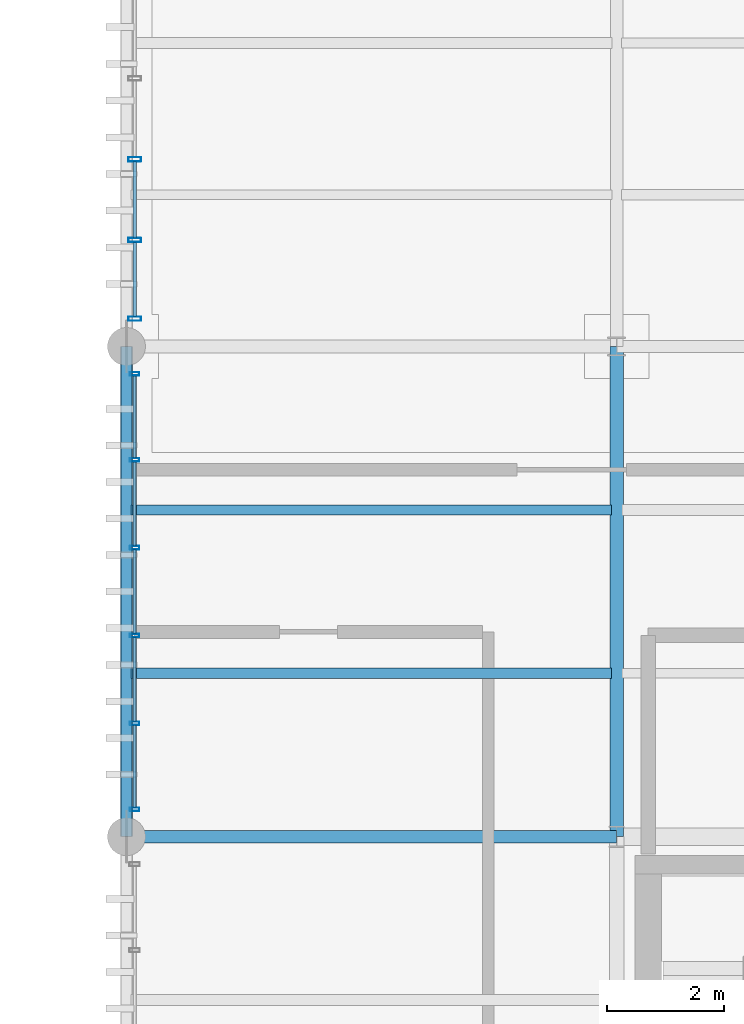
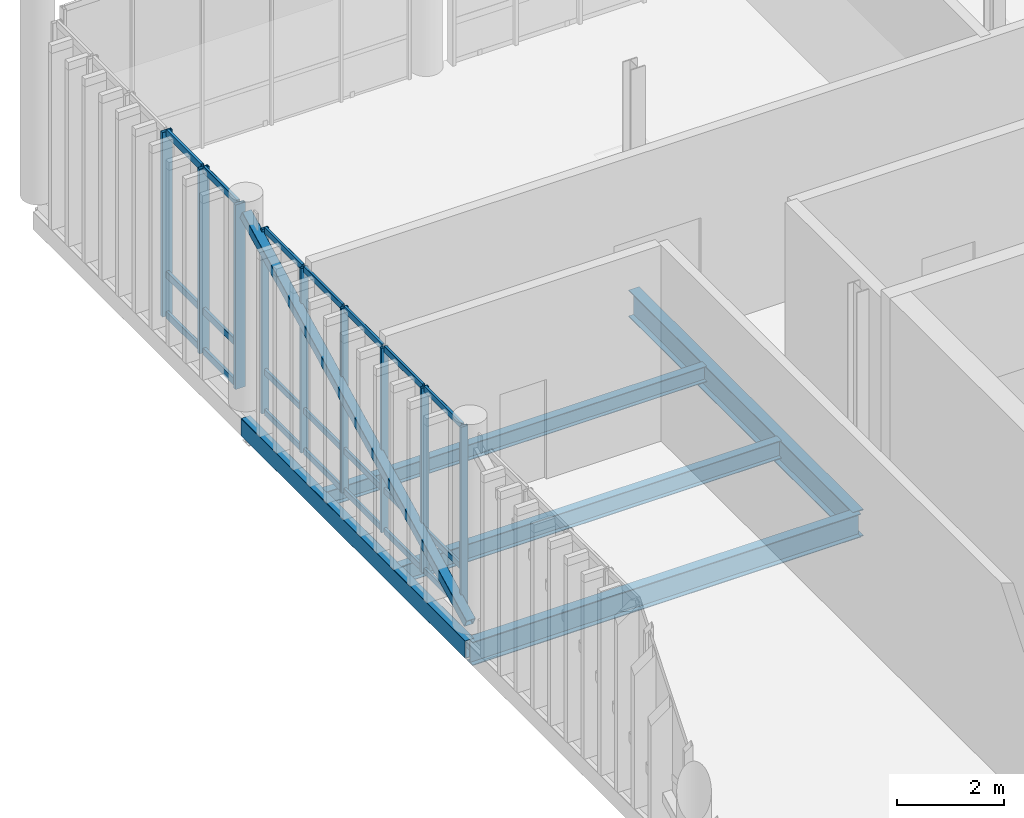
# One storey, part 52 of 86: 31 members, 5 beams, 2 elements without a shape of their own.
"""IFC4 building model written with IfcOpenShell, lengths in metres."""

from ifc_helpers import new_model, si_unit, direction, frame, origin_with_axes, origin_2d_with_axis, place, context, subcontext, project, spatial, hollow_rectangle, i_section, extrude, material, material_profile, profile_set, type_object, element, aggregate, save


model = new_model("IFC4")

# Units and contexts
model_context = context("Model", 3, precision=1e-05, world=origin_with_axes(), true_north=direction((0.0, 1.0)))
body_context = subcontext(model_context, "Body", "Model", "MODEL_VIEW")
ifc_project = project(units=[si_unit("LENGTHUNIT", "METRE"), si_unit("AREAUNIT", "SQUARE_METRE"), si_unit("VOLUMEUNIT", "CUBIC_METRE"), si_unit("PLANEANGLEUNIT", "RADIAN"), si_unit("MASSUNIT", "GRAM", prefix="KILO"), si_unit("THERMODYNAMICTEMPERATUREUNIT", "KELVIN")], contexts=[model_context])

# Site, building, storey
site_placement = place(None, origin_with_axes())
site = spatial("IfcSite", under=ifc_project, at=site_placement, CompositionType="ELEMENT")
building_placement = place(site_placement, origin_with_axes())
building = spatial("IfcBuilding", under=site, at=building_placement, Name="Montbau Bow Law Courts", CompositionType="ELEMENT")
storey_placement = place(building_placement, frame((0.0, 0.0, 29.7), z_axis=(0.0, 0.0, 1.0), x_axis=(1.0, 0.0, 0.0)))
storey = spatial("IfcBuildingStorey", under=building, at=storey_placement, Name="L06", CompositionType="ELEMENT", Elevation=29.7)

# Beams
ifc_material_1 = material(Name="Steel CSA G40.21 Grade 350W (350 MPa)", Category="steel")
ifc_material_profile_1 = material_profile(ifc_material_1, i_section(OverallWidth=0.229, OverallDepth=0.612, WebThickness=0.0119, FlangeThickness=0.0196, at=origin_2d_with_axis()), Name="W610X125", Category="Main", Priority=0)
ifc_profile_set_1 = profile_set([ifc_material_profile_1], Name="Steel CSA G40.21 Grade 350W (350 MPa)")
beam_type_1 = type_object("IfcBeamType", Name="B-FLR-05", PredefinedType="BEAM", material=ifc_profile_set_1)
beam_1_placement = place(None, frame((147.0, 94.8, 29.054), z_axis=(0.0, 1.0, 0.0), x_axis=(-1.0, 0.0, 0.0)))
element("IfcBeam", 1, at=beam_1_placement, inside=storey, type_object=beam_type_1, Name="BM-L06-S1324:bm2_1327", PredefinedType="BEAM", context=body_context, shape_type="SweptSolid", body=[
    extrude(i_section(OverallWidth=0.229, OverallDepth=0.612, WebThickness=0.0119, FlangeThickness=0.0196, at=origin_2d_with_axis()), origin_with_axes(), (0.0, 0.0, 1.0), 8.4),
])
ifc_material_profile_2 = material_profile(ifc_material_1, i_section(OverallWidth=0.21, OverallDepth=0.537, WebThickness=0.0109, FlangeThickness=0.0174, at=origin_2d_with_axis()), Name="W530X101", Category="Main", Priority=0)
ifc_profile_set_2 = profile_set([ifc_material_profile_2], Name="Steel CSA G40.21 Grade 350W (350 MPa)")
beam_type_2 = type_object("IfcBeamType", Name="B-FLR-06", PredefinedType="BEAM", material=ifc_profile_set_2)
beam_2_placement = place(None, frame((138.6, 94.8, 29.091), z_axis=(1.0, 0.0, 0.0), x_axis=(0.0, 1.0, 0.0)))
element("IfcBeam", 2, at=beam_2_placement, inside=storey, type_object=beam_type_2, Name="BM-L06-S1306:bm2_1309", PredefinedType="BEAM", context=body_context, shape_type="SweptSolid", body=[
    extrude(i_section(OverallWidth=0.21, OverallDepth=0.537, WebThickness=0.0109, FlangeThickness=0.0174, at=origin_2d_with_axis()), origin_with_axes(), (0.0, 0.0, 1.0), 8.4),
])
ifc_material_profile_3 = material_profile(ifc_material_1, i_section(OverallWidth=0.179, OverallDepth=0.41, WebThickness=0.0088, FlangeThickness=0.0144, at=origin_2d_with_axis()), Name="W410X67", Category="Main", Priority=0)
ifc_profile_set_3 = profile_set([ifc_material_profile_3], Name="Steel CSA G40.21 Grade 350W (350 MPa)")
beam_type_3 = type_object("IfcBeamType", Name="B-JST-02", PredefinedType="JOIST", material=ifc_profile_set_3)
beam_3_placement = place(None, frame((138.68, 97.6, 29.155), z_axis=(1.0, 0.0, 0.0), x_axis=(0.0, 1.0, 0.0)))
element("IfcBeam", 3, at=beam_3_placement, inside=storey, type_object=beam_type_3, Name="JST-L06-S0713:jst2_0713", PredefinedType="JOIST", context=body_context, shape_type="SweptSolid", body=[
    extrude(i_section(OverallWidth=0.179, OverallDepth=0.41, WebThickness=0.0088, FlangeThickness=0.0144, at=origin_2d_with_axis()), origin_with_axes(), (0.0, 0.0, 1.0), 8.23),
])
ifc_material_profile_4 = material_profile(ifc_material_1, i_section(OverallWidth=0.172, OverallDepth=0.358, WebThickness=0.0079, FlangeThickness=0.0131, at=origin_2d_with_axis()), Name="W360X57", Category="Main", Priority=0)
ifc_profile_set_4 = profile_set([ifc_material_profile_4], Name="Steel CSA G40.21 Grade 350W (350 MPa)")
beam_type_4 = type_object("IfcBeamType", Name="B-JST-03", PredefinedType="JOIST", material=ifc_profile_set_4)
beam_4_placement = place(None, frame((138.68, 100.4, 29.181), z_axis=(1.0, 0.0, 0.0), x_axis=(0.0, 1.0, 0.0)))
element("IfcBeam", 4, at=beam_4_placement, inside=storey, type_object=beam_type_4, Name="JST-L06-S0714:jst2_0714", PredefinedType="JOIST", context=body_context, shape_type="SweptSolid", body=[
    extrude(i_section(OverallWidth=0.172, OverallDepth=0.358, WebThickness=0.0079, FlangeThickness=0.0131, at=origin_2d_with_axis()), origin_with_axes(), (0.0, 0.0, 1.0), 8.23),
])
ifc_material_2 = material(Name="Steel CSA G40.21 Grade 350WT (350 MPa)", Category="steel")
ifc_material_profile_5 = material_profile(ifc_material_2, hollow_rectangle(XDim=0.203, YDim=0.406, WallThickness=0.0127, InnerFilletRadius=0.0254, OuterFilletRadius=0.0127, at=origin_2d_with_axis()), Name="HSS406X203X13", Category="Main", Priority=0)
ifc_profile_set_5 = profile_set([ifc_material_profile_5], Name="Steel CSA G40.21 Grade 350WT (350 MPa)")
beam_type_5 = type_object("IfcBeamType", Name="B-SPN-01", PredefinedType="SPANDREL", material=ifc_profile_set_5)
beam_5_placement = place(None, frame((138.6, 94.8, 29.157), z_axis=(0.0, 1.0, 0.0), x_axis=(-1.0, 0.0, 0.0)))
element("IfcBeam", 5, at=beam_5_placement, inside=storey, type_object=beam_type_5, Name="SPN-L06-S1320:bm2_1323", PredefinedType="SPANDREL", context=body_context, shape_type="SweptSolid", body=[
    extrude(hollow_rectangle(XDim=0.203, YDim=0.406, WallThickness=0.0127, InnerFilletRadius=0.0254, OuterFilletRadius=0.0127, at=origin_2d_with_axis()), origin_with_axes(), (0.0, 0.0, 1.0), 8.4),
])

# Member
ifc_material_profile_6 = material_profile(ifc_material_1, hollow_rectangle(XDim=0.203, YDim=0.203, WallThickness=0.0111, InnerFilletRadius=0.0222, OuterFilletRadius=0.0111, at=origin_2d_with_axis()), Name="HSS203X203X11", Category="Main", Priority=0)
ifc_profile_set_6 = profile_set([ifc_material_profile_6], Name="Steel CSA G40.21 Grade 350W (350 MPa)")
member_type_1 = type_object("IfcMemberType", Name="M-BRC-02", PredefinedType="BRACE", material=ifc_profile_set_6)
member_1_placement = place(None, frame((138.6, 94.8, 29.75), z_axis=(0.0, 0.89199296, 0.452049289), x_axis=(-1.0, 0.0, 0.0)))
element("IfcMember", 6, at=member_1_placement, inside=storey, type_object=member_type_1, Name="Diagonal brace CBF-L06-071A", PredefinedType="BRACE", context=body_context, shape_type="SweptSolid", body=[
    extrude(hollow_rectangle(XDim=0.203, YDim=0.203, WallThickness=0.0111, InnerFilletRadius=0.0222, OuterFilletRadius=0.0111, at=origin_2d_with_axis()), origin_with_axes(), (0.0, 0.0, 1.0), 9.417115),
])

# Curtain wall, members
ifc_material_3 = material(Name="Thermally Broken Extruded Aluminium AA 6063-T6", Category="aluminium")
curtain_wall_type = type_object("IfcCurtainWallType", Name="CW-SLT-02", PredefinedType="NOTDEFINED", material=ifc_material_3)
curtain_wall_1_placement = place(None, frame((138.74, 103.64, 29.7), z_axis=(0.0, 0.0, 1.0), x_axis=(1.0, 0.0, 0.0)))
curtain_wall_1 = element("IfcCurtainWall", 7, at=curtain_wall_1_placement, inside=storey, type_object=curtain_wall_type, Name="CW-L06-360:cw_0360", PredefinedType="NOTDEFINED")
ifc_material_profile_7 = material_profile(ifc_material_3, hollow_rectangle(XDim=0.075, YDim=0.22, WallThickness=0.005, InnerFilletRadius=0.01, OuterFilletRadius=0.005, at=origin_2d_with_axis()), Name="CWM-220X75", Category="Main", Priority=0)
ifc_profile_set_7 = profile_set([ifc_material_profile_7], Name="Thermally Broken Extruded Aluminium AA 6063-T6")
member_type_2 = type_object("IfcMemberType", Name="M-MUL-01", PredefinedType="MULLION", material=ifc_profile_set_7)
member_2_placement = place(None, frame((138.74, 103.677, 29.7), z_axis=(0.0, 0.0, 1.0), x_axis=(0.0, 1.0, 0.0)))
member_2 = element("IfcMember", 8, at=member_2_placement, type_object=member_type_2, Name="CW-L06-360-M01:cw_0360_M01", PredefinedType="MULLION", context=body_context, shape_type="SweptSolid", body=[
    extrude(hollow_rectangle(XDim=0.075, YDim=0.22, WallThickness=0.005, InnerFilletRadius=0.01, OuterFilletRadius=0.005, at=origin_2d_with_axis()), origin_with_axes(), (0.0, 0.0, 1.0), 4.22),
])
member_3_placement = place(None, frame((138.74, 105.024, 29.7), z_axis=(0.0, 0.0, 1.0), x_axis=(0.0, 1.0, 0.0)))
member_3 = element("IfcMember", 9, at=member_3_placement, type_object=member_type_2, Name="CW-L06-360-M02:cw_0360_M02", PredefinedType="MULLION", context=body_context, shape_type="SweptSolid", body=[
    extrude(hollow_rectangle(XDim=0.075, YDim=0.22, WallThickness=0.005, InnerFilletRadius=0.01, OuterFilletRadius=0.005, at=origin_2d_with_axis()), origin_with_axes(), (0.0, 0.0, 1.0), 4.22),
])
member_4_placement = place(None, frame((138.74, 106.408, 29.7), z_axis=(0.0, 0.0, 1.0), x_axis=(0.0, 1.0, 0.0)))
member_4 = element("IfcMember", 10, at=member_4_placement, type_object=member_type_2, Name="CW-L06-360-M03:cw_0360_M03", PredefinedType="MULLION", context=body_context, shape_type="SweptSolid", body=[
    extrude(hollow_rectangle(XDim=0.075, YDim=0.22, WallThickness=0.005, InnerFilletRadius=0.01, OuterFilletRadius=0.005, at=origin_2d_with_axis()), origin_with_axes(), (0.0, 0.0, 1.0), 4.22),
])

curtain_wall_2_placement = place(None, frame((138.74, 95.24, 29.7), z_axis=(0.0, 0.0, 1.0), x_axis=(1.0, 0.0, 0.0)))
curtain_wall_2 = element("IfcCurtainWall", 11, at=curtain_wall_2_placement, inside=storey, type_object=curtain_wall_type, Name="CW-L06-359:cw_0359", PredefinedType="NOTDEFINED")
ifc_material_profile_8 = material_profile(ifc_material_3, hollow_rectangle(XDim=0.06, YDim=0.16, WallThickness=0.004, InnerFilletRadius=0.008, OuterFilletRadius=0.004, at=origin_2d_with_axis()), Name="CWM-160X60", Category="Main", Priority=0)
ifc_profile_set_8 = profile_set([ifc_material_profile_8], Name="Thermally Broken Extruded Aluminium AA 6063-T6")
member_type_3 = type_object("IfcMemberType", Name="M-MUL-03", PredefinedType="MULLION", material=ifc_profile_set_8)
member_5_placement = place(None, frame((138.74, 95.27, 29.7), z_axis=(0.0, 0.0, 1.0), x_axis=(0.0, 1.0, 0.0)))
member_5 = element("IfcMember", 12, at=member_5_placement, type_object=member_type_3, Name="CW-L06-359-M01:cw_0359_M01", PredefinedType="MULLION", context=body_context, shape_type="SweptSolid", body=[
    extrude(hollow_rectangle(XDim=0.06, YDim=0.16, WallThickness=0.004, InnerFilletRadius=0.008, OuterFilletRadius=0.004, at=origin_2d_with_axis()), origin_with_axes(), (0.0, 0.0, 1.0), 4.22),
])
member_6_placement = place(None, frame((138.74, 96.744, 29.7), z_axis=(0.0, 0.0, 1.0), x_axis=(0.0, 1.0, 0.0)))
member_6 = element("IfcMember", 13, at=member_6_placement, type_object=member_type_3, Name="CW-L06-359-M02:cw_0359_M02", PredefinedType="MULLION", context=body_context, shape_type="SweptSolid", body=[
    extrude(hollow_rectangle(XDim=0.06, YDim=0.16, WallThickness=0.004, InnerFilletRadius=0.008, OuterFilletRadius=0.004, at=origin_2d_with_axis()), origin_with_axes(), (0.0, 0.0, 1.0), 4.22),
])
member_7_placement = place(None, frame((138.74, 98.248, 29.7), z_axis=(0.0, 0.0, 1.0), x_axis=(0.0, 1.0, 0.0)))
member_7 = element("IfcMember", 14, at=member_7_placement, type_object=member_type_3, Name="CW-L06-359-M03:cw_0359_M03", PredefinedType="MULLION", context=body_context, shape_type="SweptSolid", body=[
    extrude(hollow_rectangle(XDim=0.06, YDim=0.16, WallThickness=0.004, InnerFilletRadius=0.008, OuterFilletRadius=0.004, at=origin_2d_with_axis()), origin_with_axes(), (0.0, 0.0, 1.0), 4.22),
])
member_8_placement = place(None, frame((138.74, 99.752, 29.7), z_axis=(0.0, 0.0, 1.0), x_axis=(0.0, 1.0, 0.0)))
member_8 = element("IfcMember", 15, at=member_8_placement, type_object=member_type_3, Name="CW-L06-359-M04:cw_0359_M04", PredefinedType="MULLION", context=body_context, shape_type="SweptSolid", body=[
    extrude(hollow_rectangle(XDim=0.06, YDim=0.16, WallThickness=0.004, InnerFilletRadius=0.008, OuterFilletRadius=0.004, at=origin_2d_with_axis()), origin_with_axes(), (0.0, 0.0, 1.0), 4.22),
])
member_9_placement = place(None, frame((138.74, 101.256, 29.7), z_axis=(0.0, 0.0, 1.0), x_axis=(0.0, 1.0, 0.0)))
member_9 = element("IfcMember", 16, at=member_9_placement, type_object=member_type_3, Name="CW-L06-359-M05:cw_0359_M05", PredefinedType="MULLION", context=body_context, shape_type="SweptSolid", body=[
    extrude(hollow_rectangle(XDim=0.06, YDim=0.16, WallThickness=0.004, InnerFilletRadius=0.008, OuterFilletRadius=0.004, at=origin_2d_with_axis()), origin_with_axes(), (0.0, 0.0, 1.0), 4.22),
])
member_10_placement = place(None, frame((138.74, 102.73, 29.7), z_axis=(0.0, 0.0, 1.0), x_axis=(0.0, 1.0, 0.0)))
member_10 = element("IfcMember", 17, at=member_10_placement, type_object=member_type_3, Name="CW-L06-359-M06:cw_0359_M06", PredefinedType="MULLION", context=body_context, shape_type="SweptSolid", body=[
    extrude(hollow_rectangle(XDim=0.06, YDim=0.16, WallThickness=0.004, InnerFilletRadius=0.008, OuterFilletRadius=0.004, at=origin_2d_with_axis()), origin_with_axes(), (0.0, 0.0, 1.0), 4.22),
])

# Member
ifc_material_profile_9 = material_profile(ifc_material_3, hollow_rectangle(XDim=0.06, YDim=0.16, WallThickness=0.004, InnerFilletRadius=0.008, OuterFilletRadius=0.004, at=origin_2d_with_axis()), Name="CWT-160X60", Category="Main", Priority=0)
ifc_profile_set_9 = profile_set([ifc_material_profile_9], Name="Thermally Broken Extruded Aluminium AA 6063-T6")
member_type_4 = type_object("IfcMemberType", Name="M-TRN-01", PredefinedType="USERDEFINED", material=ifc_profile_set_9)
member_11_placement = place(None, frame((138.74, 103.716, 29.73), z_axis=(0.0, 1.0, 0.0), x_axis=(-1.0, 0.0, 0.0)))
member_11 = element("IfcMember", 18, at=member_11_placement, type_object=member_type_4, Name="CW-L06-360-T01-1:cw_0360_T01_1", ObjectType="TRANSOM", PredefinedType="USERDEFINED", context=body_context, shape_type="SweptSolid", body=[
    extrude(hollow_rectangle(XDim=0.06, YDim=0.16, WallThickness=0.004, InnerFilletRadius=0.008, OuterFilletRadius=0.004, at=origin_2d_with_axis()), origin_with_axes(), (0.0, 0.0, 1.0), 1.268),
])

member_12_placement = place(None, frame((138.74, 103.716, 30.65), z_axis=(0.0, 1.0, 0.0), x_axis=(-1.0, 0.0, 0.0)))
member_12 = element("IfcMember", 19, at=member_12_placement, type_object=member_type_4, Name="CW-L06-360-T01-2:cw_0360_T01_2", ObjectType="TRANSOM", PredefinedType="USERDEFINED", context=body_context, shape_type="SweptSolid", body=[
    extrude(hollow_rectangle(XDim=0.06, YDim=0.16, WallThickness=0.004, InnerFilletRadius=0.008, OuterFilletRadius=0.004, at=origin_2d_with_axis()), origin_with_axes(), (0.0, 0.0, 1.0), 1.268),
])

member_13_placement = place(None, frame((138.74, 103.716, 33.89), z_axis=(0.0, 1.0, 0.0), x_axis=(-1.0, 0.0, 0.0)))
member_13 = element("IfcMember", 20, at=member_13_placement, type_object=member_type_4, Name="CW-L06-360-T01-3:cw_0360_T01_3", ObjectType="TRANSOM", PredefinedType="USERDEFINED", context=body_context, shape_type="SweptSolid", body=[
    extrude(hollow_rectangle(XDim=0.06, YDim=0.16, WallThickness=0.004, InnerFilletRadius=0.008, OuterFilletRadius=0.004, at=origin_2d_with_axis()), origin_with_axes(), (0.0, 0.0, 1.0), 1.268),
])

member_14_placement = place(None, frame((138.74, 105.063, 29.73), z_axis=(0.0, 1.0, 0.0), x_axis=(-1.0, 0.0, 0.0)))
member_14 = element("IfcMember", 21, at=member_14_placement, type_object=member_type_4, Name="CW-L06-360-T02-1:cw_0360_T02_1", ObjectType="TRANSOM", PredefinedType="USERDEFINED", context=body_context, shape_type="SweptSolid", body=[
    extrude(hollow_rectangle(XDim=0.06, YDim=0.16, WallThickness=0.004, InnerFilletRadius=0.008, OuterFilletRadius=0.004, at=origin_2d_with_axis()), origin_with_axes(), (0.0, 0.0, 1.0), 1.305),
])

member_15_placement = place(None, frame((138.74, 105.063, 30.65), z_axis=(0.0, 1.0, 0.0), x_axis=(-1.0, 0.0, 0.0)))
member_15 = element("IfcMember", 22, at=member_15_placement, type_object=member_type_4, Name="CW-L06-360-T02-2:cw_0360_T02_2", ObjectType="TRANSOM", PredefinedType="USERDEFINED", context=body_context, shape_type="SweptSolid", body=[
    extrude(hollow_rectangle(XDim=0.06, YDim=0.16, WallThickness=0.004, InnerFilletRadius=0.008, OuterFilletRadius=0.004, at=origin_2d_with_axis()), origin_with_axes(), (0.0, 0.0, 1.0), 1.305),
])

member_16_placement = place(None, frame((138.74, 105.063, 33.89), z_axis=(0.0, 1.0, 0.0), x_axis=(-1.0, 0.0, 0.0)))
member_16 = element("IfcMember", 23, at=member_16_placement, type_object=member_type_4, Name="CW-L06-360-T02-3:cw_0360_T02_3", ObjectType="TRANSOM", PredefinedType="USERDEFINED", context=body_context, shape_type="SweptSolid", body=[
    extrude(hollow_rectangle(XDim=0.06, YDim=0.16, WallThickness=0.004, InnerFilletRadius=0.008, OuterFilletRadius=0.004, at=origin_2d_with_axis()), origin_with_axes(), (0.0, 0.0, 1.0), 1.305),
])

aggregate(curtain_wall_1, [member_2, member_3, member_4, member_11, member_12, member_13, member_14, member_15, member_16])

ifc_material_profile_10 = material_profile(ifc_material_3, hollow_rectangle(XDim=0.055, YDim=0.14, WallThickness=0.004, InnerFilletRadius=0.008, OuterFilletRadius=0.004, at=origin_2d_with_axis()), Name="CWT-140X55", Category="Main", Priority=0)
ifc_profile_set_10 = profile_set([ifc_material_profile_10], Name="Thermally Broken Extruded Aluminium AA 6063-T6")
member_type_5 = type_object("IfcMemberType", Name="M-TRN-02", PredefinedType="USERDEFINED", material=ifc_profile_set_10)
member_17_placement = place(None, frame((138.74, 95.302, 29.727), z_axis=(0.0, 1.0, 0.0), x_axis=(-1.0, 0.0, 0.0)))
member_17 = element("IfcMember", 24, at=member_17_placement, type_object=member_type_5, Name="CW-L06-359-T01-1:cw_0359_T01_1", ObjectType="TRANSOM", PredefinedType="USERDEFINED", context=body_context, shape_type="SweptSolid", body=[
    extrude(hollow_rectangle(XDim=0.055, YDim=0.14, WallThickness=0.004, InnerFilletRadius=0.008, OuterFilletRadius=0.004, at=origin_2d_with_axis()), origin_with_axes(), (0.0, 0.0, 1.0), 1.41),
])

member_18_placement = place(None, frame((138.74, 95.302, 30.65), z_axis=(0.0, 1.0, 0.0), x_axis=(-1.0, 0.0, 0.0)))
member_18 = element("IfcMember", 25, at=member_18_placement, type_object=member_type_5, Name="CW-L06-359-T01-2:cw_0359_T01_2", ObjectType="TRANSOM", PredefinedType="USERDEFINED", context=body_context, shape_type="SweptSolid", body=[
    extrude(hollow_rectangle(XDim=0.055, YDim=0.14, WallThickness=0.004, InnerFilletRadius=0.008, OuterFilletRadius=0.004, at=origin_2d_with_axis()), origin_with_axes(), (0.0, 0.0, 1.0), 1.41),
])

member_19_placement = place(None, frame((138.74, 95.302, 33.892), z_axis=(0.0, 1.0, 0.0), x_axis=(-1.0, 0.0, 0.0)))
member_19 = element("IfcMember", 26, at=member_19_placement, type_object=member_type_5, Name="CW-L06-359-T01-3:cw_0359_T01_3", ObjectType="TRANSOM", PredefinedType="USERDEFINED", context=body_context, shape_type="SweptSolid", body=[
    extrude(hollow_rectangle(XDim=0.055, YDim=0.14, WallThickness=0.004, InnerFilletRadius=0.008, OuterFilletRadius=0.004, at=origin_2d_with_axis()), origin_with_axes(), (0.0, 0.0, 1.0), 1.41),
])

member_20_placement = place(None, frame((138.74, 96.776, 29.727), z_axis=(0.0, 1.0, 0.0), x_axis=(-1.0, 0.0, 0.0)))
member_20 = element("IfcMember", 27, at=member_20_placement, type_object=member_type_5, Name="CW-L06-359-T02-1:cw_0359_T02_1", ObjectType="TRANSOM", PredefinedType="USERDEFINED", context=body_context, shape_type="SweptSolid", body=[
    extrude(hollow_rectangle(XDim=0.055, YDim=0.14, WallThickness=0.004, InnerFilletRadius=0.008, OuterFilletRadius=0.004, at=origin_2d_with_axis()), origin_with_axes(), (0.0, 0.0, 1.0), 1.44),
])

member_21_placement = place(None, frame((138.74, 96.776, 30.65), z_axis=(0.0, 1.0, 0.0), x_axis=(-1.0, 0.0, 0.0)))
member_21 = element("IfcMember", 28, at=member_21_placement, type_object=member_type_5, Name="CW-L06-359-T02-2:cw_0359_T02_2", ObjectType="TRANSOM", PredefinedType="USERDEFINED", context=body_context, shape_type="SweptSolid", body=[
    extrude(hollow_rectangle(XDim=0.055, YDim=0.14, WallThickness=0.004, InnerFilletRadius=0.008, OuterFilletRadius=0.004, at=origin_2d_with_axis()), origin_with_axes(), (0.0, 0.0, 1.0), 1.44),
])

member_22_placement = place(None, frame((138.74, 96.776, 33.892), z_axis=(0.0, 1.0, 0.0), x_axis=(-1.0, 0.0, 0.0)))
member_22 = element("IfcMember", 29, at=member_22_placement, type_object=member_type_5, Name="CW-L06-359-T02-3:cw_0359_T02_3", ObjectType="TRANSOM", PredefinedType="USERDEFINED", context=body_context, shape_type="SweptSolid", body=[
    extrude(hollow_rectangle(XDim=0.055, YDim=0.14, WallThickness=0.004, InnerFilletRadius=0.008, OuterFilletRadius=0.004, at=origin_2d_with_axis()), origin_with_axes(), (0.0, 0.0, 1.0), 1.44),
])

member_23_placement = place(None, frame((138.74, 98.28, 29.727), z_axis=(0.0, 1.0, 0.0), x_axis=(-1.0, 0.0, 0.0)))
member_23 = element("IfcMember", 30, at=member_23_placement, type_object=member_type_5, Name="CW-L06-359-T03-1:cw_0359_T03_1", ObjectType="TRANSOM", PredefinedType="USERDEFINED", context=body_context, shape_type="SweptSolid", body=[
    extrude(hollow_rectangle(XDim=0.055, YDim=0.14, WallThickness=0.004, InnerFilletRadius=0.008, OuterFilletRadius=0.004, at=origin_2d_with_axis()), origin_with_axes(), (0.0, 0.0, 1.0), 1.44),
])

member_24_placement = place(None, frame((138.74, 98.28, 30.65), z_axis=(0.0, 1.0, 0.0), x_axis=(-1.0, 0.0, 0.0)))
member_24 = element("IfcMember", 31, at=member_24_placement, type_object=member_type_5, Name="CW-L06-359-T03-2:cw_0359_T03_2", ObjectType="TRANSOM", PredefinedType="USERDEFINED", context=body_context, shape_type="SweptSolid", body=[
    extrude(hollow_rectangle(XDim=0.055, YDim=0.14, WallThickness=0.004, InnerFilletRadius=0.008, OuterFilletRadius=0.004, at=origin_2d_with_axis()), origin_with_axes(), (0.0, 0.0, 1.0), 1.44),
])

member_25_placement = place(None, frame((138.74, 98.28, 33.892), z_axis=(0.0, 1.0, 0.0), x_axis=(-1.0, 0.0, 0.0)))
member_25 = element("IfcMember", 32, at=member_25_placement, type_object=member_type_5, Name="CW-L06-359-T03-3:cw_0359_T03_3", ObjectType="TRANSOM", PredefinedType="USERDEFINED", context=body_context, shape_type="SweptSolid", body=[
    extrude(hollow_rectangle(XDim=0.055, YDim=0.14, WallThickness=0.004, InnerFilletRadius=0.008, OuterFilletRadius=0.004, at=origin_2d_with_axis()), origin_with_axes(), (0.0, 0.0, 1.0), 1.44),
])

member_26_placement = place(None, frame((138.74, 99.784, 29.727), z_axis=(0.0, 1.0, 0.0), x_axis=(-1.0, 0.0, 0.0)))
member_26 = element("IfcMember", 33, at=member_26_placement, type_object=member_type_5, Name="CW-L06-359-T04-1:cw_0359_T04_1", ObjectType="TRANSOM", PredefinedType="USERDEFINED", context=body_context, shape_type="SweptSolid", body=[
    extrude(hollow_rectangle(XDim=0.055, YDim=0.14, WallThickness=0.004, InnerFilletRadius=0.008, OuterFilletRadius=0.004, at=origin_2d_with_axis()), origin_with_axes(), (0.0, 0.0, 1.0), 1.44),
])

member_27_placement = place(None, frame((138.74, 99.784, 30.65), z_axis=(0.0, 1.0, 0.0), x_axis=(-1.0, 0.0, 0.0)))
member_27 = element("IfcMember", 34, at=member_27_placement, type_object=member_type_5, Name="CW-L06-359-T04-2:cw_0359_T04_2", ObjectType="TRANSOM", PredefinedType="USERDEFINED", context=body_context, shape_type="SweptSolid", body=[
    extrude(hollow_rectangle(XDim=0.055, YDim=0.14, WallThickness=0.004, InnerFilletRadius=0.008, OuterFilletRadius=0.004, at=origin_2d_with_axis()), origin_with_axes(), (0.0, 0.0, 1.0), 1.44),
])

member_28_placement = place(None, frame((138.74, 99.784, 33.892), z_axis=(0.0, 1.0, 0.0), x_axis=(-1.0, 0.0, 0.0)))
member_28 = element("IfcMember", 35, at=member_28_placement, type_object=member_type_5, Name="CW-L06-359-T04-3:cw_0359_T04_3", ObjectType="TRANSOM", PredefinedType="USERDEFINED", context=body_context, shape_type="SweptSolid", body=[
    extrude(hollow_rectangle(XDim=0.055, YDim=0.14, WallThickness=0.004, InnerFilletRadius=0.008, OuterFilletRadius=0.004, at=origin_2d_with_axis()), origin_with_axes(), (0.0, 0.0, 1.0), 1.44),
])

member_29_placement = place(None, frame((138.74, 101.288, 29.727), z_axis=(0.0, 1.0, 0.0), x_axis=(-1.0, 0.0, 0.0)))
member_29 = element("IfcMember", 36, at=member_29_placement, type_object=member_type_5, Name="CW-L06-359-T05-1:cw_0359_T05_1", ObjectType="TRANSOM", PredefinedType="USERDEFINED", context=body_context, shape_type="SweptSolid", body=[
    extrude(hollow_rectangle(XDim=0.055, YDim=0.14, WallThickness=0.004, InnerFilletRadius=0.008, OuterFilletRadius=0.004, at=origin_2d_with_axis()), origin_with_axes(), (0.0, 0.0, 1.0), 1.41),
])

member_30_placement = place(None, frame((138.74, 101.288, 30.65), z_axis=(0.0, 1.0, 0.0), x_axis=(-1.0, 0.0, 0.0)))
member_30 = element("IfcMember", 37, at=member_30_placement, type_object=member_type_5, Name="CW-L06-359-T05-2:cw_0359_T05_2", ObjectType="TRANSOM", PredefinedType="USERDEFINED", context=body_context, shape_type="SweptSolid", body=[
    extrude(hollow_rectangle(XDim=0.055, YDim=0.14, WallThickness=0.004, InnerFilletRadius=0.008, OuterFilletRadius=0.004, at=origin_2d_with_axis()), origin_with_axes(), (0.0, 0.0, 1.0), 1.41),
])

member_31_placement = place(None, frame((138.74, 101.288, 33.892), z_axis=(0.0, 1.0, 0.0), x_axis=(-1.0, 0.0, 0.0)))
member_31 = element("IfcMember", 38, at=member_31_placement, type_object=member_type_5, Name="CW-L06-359-T05-3:cw_0359_T05_3", ObjectType="TRANSOM", PredefinedType="USERDEFINED", context=body_context, shape_type="SweptSolid", body=[
    extrude(hollow_rectangle(XDim=0.055, YDim=0.14, WallThickness=0.004, InnerFilletRadius=0.008, OuterFilletRadius=0.004, at=origin_2d_with_axis()), origin_with_axes(), (0.0, 0.0, 1.0), 1.41),
])

aggregate(curtain_wall_2, [member_5, member_6, member_7, member_8, member_9, member_10, member_17, member_18, member_19, member_20, member_21, member_22, member_23, member_24, member_25, member_26, member_27, member_28, member_29, member_30, member_31])

save(model, "model.ifc")
